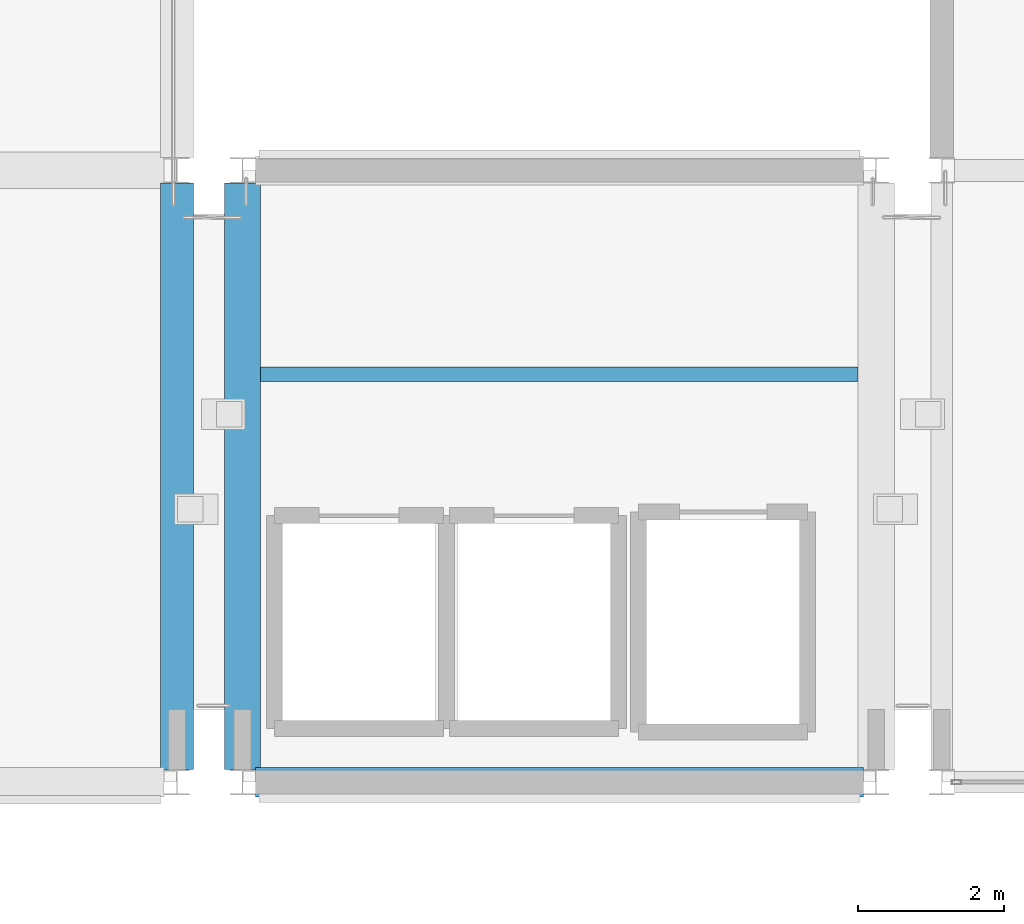
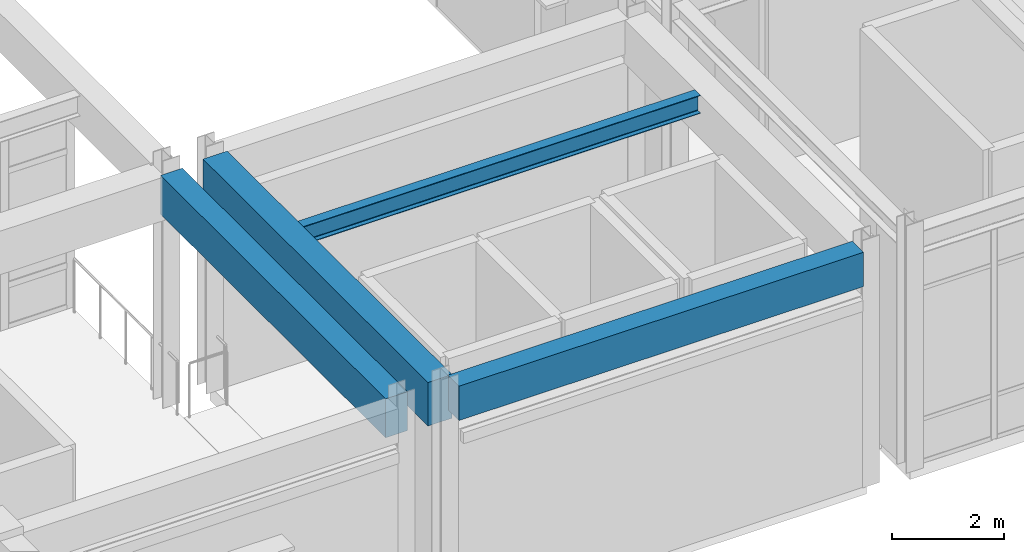
# One storey, part 6 of 80: 4 beams.
"""IFC4 building model written with IfcOpenShell, lengths in metres."""

from ifc_helpers import new_model, si_unit, direction, frame, origin, origin_2d, place, context, subcontext, project, spatial, rectangle, i_section, extrude, material, material_profile, profile_set, type_object, element, save


model = new_model("IFC4")

# Units and contexts
model_context = context("Model", 3, precision=1e-05, world=origin(), true_north=direction((0.0, 1.0)))
body_context = subcontext(model_context, "Body", "Model", "MODEL_VIEW")
ifc_project = project(units=[si_unit("LENGTHUNIT", "METRE"), si_unit("AREAUNIT", "SQUARE_METRE"), si_unit("VOLUMEUNIT", "CUBIC_METRE"), si_unit("PLANEANGLEUNIT", "RADIAN"), si_unit("MASSUNIT", "GRAM", prefix="KILO")], contexts=[model_context])

# Site, building, storey
site_placement = place(None, origin())
site = spatial("IfcSite", under=ifc_project, at=site_placement, CompositionType="ELEMENT")
building_placement = place(site_placement, origin())
building = spatial("IfcBuilding", under=site, at=building_placement, Name="Canglan Escarpment Cableway Terminal", CompositionType="ELEMENT")
storey_placement = place(building_placement, frame((0.0, 0.0, 19.199951171875)))
storey = spatial("IfcBuildingStorey", under=building, at=storey_placement, Name="L04", CompositionType="ELEMENT", Elevation=19.199951171875)

# Beams
ifc_material_1 = material(Name="Concrete C40", Category="concrete")
ifc_material_profile_1 = material_profile(ifc_material_1, rectangle(XDim=0.449951171875, YDim=0.85009765625, at=origin_2d()), Name="RC 450x850")
ifc_profile_set_1 = profile_set([ifc_material_profile_1], Name="Concrete C40")
beam_type_1 = type_object("IfcBeamType", Name="BM-RC450x850", PredefinedType="BEAM", material=ifc_profile_set_1)
beam_1_placement = place(storey_placement, frame((136.699951171875, 8.175048828125, 4.68505859375), z_axis=(0.0, 1.0, 0.0), x_axis=(-1.0, 0.0, 0.0)))
element("IfcBeam", 1, at=beam_1_placement, inside=storey, type_object=beam_type_1, Name="Primary transverse girder B-02", PredefinedType="BEAM", context=body_context, shape_type="SweptSolid", body=[
    extrude(rectangle(XDim=0.449951171875, YDim=0.85009765625, at=origin_2d()), origin(), (0.0, 0.0, 1.0), 8.050048828125),
])
ifc_material_2 = material(Name="Concrete C50", Category="concrete")
ifc_material_profile_2 = material_profile(ifc_material_2, rectangle(XDim=0.5, YDim=0.949951171875, at=origin_2d()), Name="RC 500x950")
ifc_profile_set_2 = profile_set([ifc_material_profile_2], Name="Concrete C50")
beam_type_2 = type_object("IfcBeamType", Name="BM-RC500x950", PredefinedType="BEAM", material=ifc_profile_set_2)
beam_2_placement = place(storey_placement, frame((137.60009765625, 8.175048828125, 4.68505859375), z_axis=(0.0, 1.0, 0.0), x_axis=(-1.0, 0.0, 0.0)))
element("IfcBeam", 2, at=beam_2_placement, inside=storey, type_object=beam_type_2, Name="Primary transverse girder B-01", PredefinedType="BEAM", context=body_context, shape_type="SweptSolid", body=[
    extrude(rectangle(XDim=0.5, YDim=0.949951171875, at=origin_2d()), origin(), (0.0, 0.0, 1.0), 8.050048828125),
])
ifc_material_3 = material(Name="Steel Q355B", Category="steel")
ifc_material_profile_3 = material_profile(ifc_material_3, i_section(OverallWidth=0.199951171875, OverallDepth=0.39990234375, WebThickness=0.008056640625, FlangeThickness=0.012939453125, FilletRadius=0.01611328125, at=origin_2d()), Name="HN 400x200x8x13")
ifc_profile_set_3 = profile_set([ifc_material_profile_3], Name="Steel Q355B")
beam_type_3 = type_object("IfcBeamType", Name="JS-HN400", PredefinedType="JOIST", material=ifc_profile_set_3)
beam_3_placement = place(storey_placement, frame((137.85009765625, 13.60009765625, 4.9599609375), z_axis=(1.0, 0.0, 0.0), x_axis=(0.0, 1.0, 0.0)))
element("IfcBeam", 3, at=beam_3_placement, inside=storey, type_object=beam_type_3, Name="Secondary composite deck joist J-03", PredefinedType="JOIST", context=body_context, shape_type="SweptSolid", body=[
    extrude(i_section(OverallWidth=0.199951171875, OverallDepth=0.39990234375, WebThickness=0.008056640625, FlangeThickness=0.012939453125, FilletRadius=0.01611328125, at=origin_2d()), origin(), (0.0, 0.0, 1.0), 8.199951171875),
])
ifc_material_profile_4 = material_profile(ifc_material_1, rectangle(XDim=0.39990234375, YDim=0.75, at=origin_2d()), Name="RC 400x750")
ifc_profile_set_4 = profile_set([ifc_material_profile_4], Name="Concrete C40")
beam_type_4 = type_object("IfcBeamType", Name="SP-RC400x750", PredefinedType="SPANDREL", material=ifc_profile_set_4)
beam_4_placement = place(storey_placement, frame((137.77490234375, 8.0, 4.78515625), z_axis=(1.0, 0.0, 0.0), x_axis=(0.0, 1.0, 0.0)))
element("IfcBeam", 4, at=beam_4_placement, inside=storey, type_object=beam_type_4, Name="Primary structural girder SP-01", PredefinedType="SPANDREL", context=body_context, shape_type="SweptSolid", body=[
    extrude(rectangle(XDim=0.39990234375, YDim=0.75, at=origin_2d()), origin(), (0.0, 0.0, 1.0), 8.35009765625),
])

save(model, "model.ifc")
